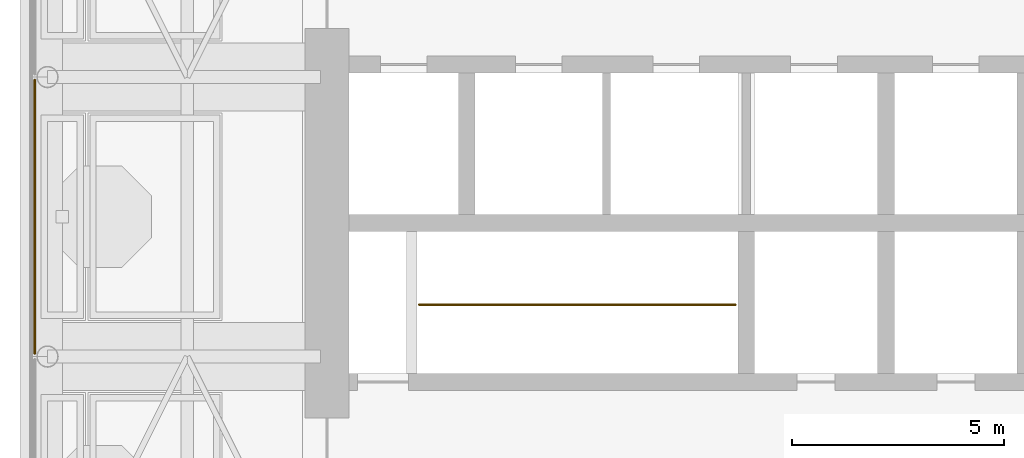
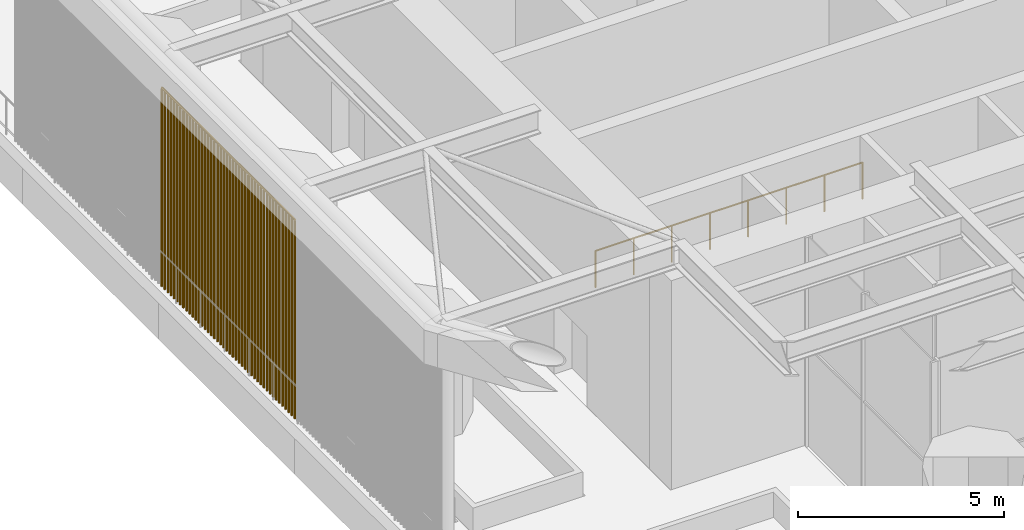
# One storey, part 13 of 22: 1 covering, 1 railing.
"""IFC4 building model written with IfcOpenShell, lengths in metres."""

from ifc_helpers import new_model, si_unit, direction, frame, origin, place, context, subcontext, project, spatial, polyline, outline, extrude, material, type_object, element, save


model = new_model("IFC4")

# Units and contexts
model_context = context("Model", 3, precision=1e-05, world=origin(), true_north=direction((0.0, 1.0)))
body_context = subcontext(model_context, "Body", "Model", "MODEL_VIEW")
ifc_project = project(units=[si_unit("LENGTHUNIT", "METRE"), si_unit("AREAUNIT", "SQUARE_METRE"), si_unit("VOLUMEUNIT", "CUBIC_METRE"), si_unit("PLANEANGLEUNIT", "RADIAN"), si_unit("MASSUNIT", "GRAM", prefix="KILO")], contexts=[model_context])

# Site, building, storey
site_placement = place(None, origin())
site = spatial("IfcSite", under=ifc_project, at=site_placement, CompositionType="ELEMENT")
building_placement = place(site_placement, origin())
building = spatial("IfcBuilding", under=site, at=building_placement, Name="Cobogo Forest Laboratory Tower", CompositionType="ELEMENT")
storey_placement = place(building_placement, frame((0.0, 0.0, 292.800048828125)))
storey = spatial("IfcBuildingStorey", under=building, at=storey_placement, Name="RF", CompositionType="ELEMENT", Elevation=292.800048828125)

# Covering
ifc_material_1 = material(Name="Terracotta baguettes on a galvanised steel top rail", Category="masonry")
covering_type = type_object("IfcCoveringType", Name="CS1 crown terracotta baguette screen", PredefinedType="CLADDING", material=ifc_material_1)
covering_placement = place(storey_placement, frame((6.300048828125, 19.875, -0.0009765625)))
element("IfcCovering", 1, at=covering_placement, inside=storey, type_object=covering_type, Name="Crown screen W2", PredefinedType="CLADDING", context=body_context, shape_type="SweptSolid", body=[
    extrude(outline(polyline([(0.02880859375, 0.011962890625), (0.011962890625, 0.02880859375), (-0.011962890625, 0.02880859375), (-0.02880859375, 0.011962890625), (-0.02880859375, -0.011962890625), (-0.011962890625, -0.02880859375), (0.011962890625, -0.02880859375), (0.02880859375, -0.011962890625), (0.02880859375, 0.011962890625)])), frame((0.0, 0.0, 5.873046875), z_axis=(0.0, 1.0, 0.0), x_axis=(-1.0, 0.0, 0.0)), (0.0, 0.0, 1.0), 6.449951171875),
    extrude(outline(polyline([(0.02880859375, 0.011962890625), (0.011962890625, 0.02880859375), (-0.011962890625, 0.02880859375), (-0.02880859375, 0.011962890625), (-0.02880859375, -0.011962890625), (-0.011962890625, -0.02880859375), (0.011962890625, -0.02880859375), (0.02880859375, -0.011962890625), (0.02880859375, 0.011962890625)])), origin(), (0.0, 0.0, 1.0), 5.841796875),
    extrude(outline(polyline([(0.02880859375, 0.011962890625), (0.011962890625, 0.02880859375), (-0.011962890625, 0.02880859375), (-0.02880859375, 0.011962890625), (-0.02880859375, -0.011962890625), (-0.011962890625, -0.02880859375), (0.011962890625, -0.02880859375), (0.02880859375, -0.011962890625), (0.02880859375, 0.011962890625)])), frame((0.0, 0.14990234375, 0.0)), (0.0, 0.0, 1.0), 5.841796875),
    extrude(outline(polyline([(0.02880859375, 0.011962890625), (0.011962890625, 0.02880859375), (-0.011962890625, 0.02880859375), (-0.02880859375, 0.011962890625), (-0.02880859375, -0.011962890625), (-0.011962890625, -0.02880859375), (0.011962890625, -0.02880859375), (0.02880859375, -0.011962890625), (0.02880859375, 0.011962890625)])), frame((0.0, 0.300048828125, 0.0)), (0.0, 0.0, 1.0), 5.841796875),
    extrude(outline(polyline([(0.02880859375, 0.011962890625), (0.011962890625, 0.02880859375), (-0.011962890625, 0.02880859375), (-0.02880859375, 0.011962890625), (-0.02880859375, -0.011962890625), (-0.011962890625, -0.02880859375), (0.011962890625, -0.02880859375), (0.02880859375, -0.011962890625), (0.02880859375, 0.011962890625)])), frame((0.0, 0.449951171875, 0.0)), (0.0, 0.0, 1.0), 5.841796875),
    extrude(outline(polyline([(0.02880859375, 0.011962890625), (0.011962890625, 0.02880859375), (-0.011962890625, 0.02880859375), (-0.02880859375, 0.011962890625), (-0.02880859375, -0.011962890625), (-0.011962890625, -0.02880859375), (0.011962890625, -0.02880859375), (0.02880859375, -0.011962890625), (0.02880859375, 0.011962890625)])), frame((0.0, 0.60009765625, 0.0)), (0.0, 0.0, 1.0), 5.841796875),
    extrude(outline(polyline([(0.02880859375, 0.011962890625), (0.011962890625, 0.02880859375), (-0.011962890625, 0.02880859375), (-0.02880859375, 0.011962890625), (-0.02880859375, -0.011962890625), (-0.011962890625, -0.02880859375), (0.011962890625, -0.02880859375), (0.02880859375, -0.011962890625), (0.02880859375, 0.011962890625)])), frame((0.0, 0.75, 0.0)), (0.0, 0.0, 1.0), 5.841796875),
    extrude(outline(polyline([(0.02880859375, 0.011962890625), (0.011962890625, 0.02880859375), (-0.011962890625, 0.02880859375), (-0.02880859375, 0.011962890625), (-0.02880859375, -0.011962890625), (-0.011962890625, -0.02880859375), (0.011962890625, -0.02880859375), (0.02880859375, -0.011962890625), (0.02880859375, 0.011962890625)])), frame((0.0, 0.89990234375, 0.0)), (0.0, 0.0, 1.0), 5.841796875),
    extrude(outline(polyline([(0.02880859375, 0.011962890625), (0.011962890625, 0.02880859375), (-0.011962890625, 0.02880859375), (-0.02880859375, 0.011962890625), (-0.02880859375, -0.011962890625), (-0.011962890625, -0.02880859375), (0.011962890625, -0.02880859375), (0.02880859375, -0.011962890625), (0.02880859375, 0.011962890625)])), frame((0.0, 1.050048828125, 0.0)), (0.0, 0.0, 1.0), 5.841796875),
    extrude(outline(polyline([(0.02880859375, 0.011962890625), (0.011962890625, 0.02880859375), (-0.011962890625, 0.02880859375), (-0.02880859375, 0.011962890625), (-0.02880859375, -0.011962890625), (-0.011962890625, -0.02880859375), (0.011962890625, -0.02880859375), (0.02880859375, -0.011962890625), (0.02880859375, 0.011962890625)])), frame((0.0, 1.199951171875, 0.0)), (0.0, 0.0, 1.0), 5.841796875),
    extrude(outline(polyline([(0.02880859375, 0.011962890625), (0.011962890625, 0.02880859375), (-0.011962890625, 0.02880859375), (-0.02880859375, 0.011962890625), (-0.02880859375, -0.011962890625), (-0.011962890625, -0.02880859375), (0.011962890625, -0.02880859375), (0.02880859375, -0.011962890625), (0.02880859375, 0.011962890625)])), frame((0.0, 1.35009765625, 0.0)), (0.0, 0.0, 1.0), 5.841796875),
    extrude(outline(polyline([(0.02880859375, 0.011962890625), (0.011962890625, 0.02880859375), (-0.011962890625, 0.02880859375), (-0.02880859375, 0.011962890625), (-0.02880859375, -0.011962890625), (-0.011962890625, -0.02880859375), (0.011962890625, -0.02880859375), (0.02880859375, -0.011962890625), (0.02880859375, 0.011962890625)])), frame((0.0, 1.5, 0.0)), (0.0, 0.0, 1.0), 5.841796875),
    extrude(outline(polyline([(0.02880859375, 0.011962890625), (0.011962890625, 0.02880859375), (-0.011962890625, 0.02880859375), (-0.02880859375, 0.011962890625), (-0.02880859375, -0.011962890625), (-0.011962890625, -0.02880859375), (0.011962890625, -0.02880859375), (0.02880859375, -0.011962890625), (0.02880859375, 0.011962890625)])), frame((0.0, 1.64990234375, 0.0)), (0.0, 0.0, 1.0), 5.841796875),
    extrude(outline(polyline([(0.02880859375, 0.011962890625), (0.011962890625, 0.02880859375), (-0.011962890625, 0.02880859375), (-0.02880859375, 0.011962890625), (-0.02880859375, -0.011962890625), (-0.011962890625, -0.02880859375), (0.011962890625, -0.02880859375), (0.02880859375, -0.011962890625), (0.02880859375, 0.011962890625)])), frame((0.0, 1.800048828125, 0.0)), (0.0, 0.0, 1.0), 5.841796875),
    extrude(outline(polyline([(0.02880859375, 0.011962890625), (0.011962890625, 0.02880859375), (-0.011962890625, 0.02880859375), (-0.02880859375, 0.011962890625), (-0.02880859375, -0.011962890625), (-0.011962890625, -0.02880859375), (0.011962890625, -0.02880859375), (0.02880859375, -0.011962890625), (0.02880859375, 0.011962890625)])), frame((0.0, 1.949951171875, 0.0)), (0.0, 0.0, 1.0), 5.841796875),
    extrude(outline(polyline([(0.02880859375, 0.011962890625), (0.011962890625, 0.02880859375), (-0.011962890625, 0.02880859375), (-0.02880859375, 0.011962890625), (-0.02880859375, -0.011962890625), (-0.011962890625, -0.02880859375), (0.011962890625, -0.02880859375), (0.02880859375, -0.011962890625), (0.02880859375, 0.011962890625)])), frame((0.0, 2.10009765625, 0.0)), (0.0, 0.0, 1.0), 5.841796875),
    extrude(outline(polyline([(0.02880859375, 0.011962890625), (0.011962890625, 0.02880859375), (-0.011962890625, 0.02880859375), (-0.02880859375, 0.011962890625), (-0.02880859375, -0.011962890625), (-0.011962890625, -0.02880859375), (0.011962890625, -0.02880859375), (0.02880859375, -0.011962890625), (0.02880859375, 0.011962890625)])), frame((0.0, 2.25, 0.0)), (0.0, 0.0, 1.0), 5.841796875),
    extrude(outline(polyline([(0.02880859375, 0.011962890625), (0.011962890625, 0.02880859375), (-0.011962890625, 0.02880859375), (-0.02880859375, 0.011962890625), (-0.02880859375, -0.011962890625), (-0.011962890625, -0.02880859375), (0.011962890625, -0.02880859375), (0.02880859375, -0.011962890625), (0.02880859375, 0.011962890625)])), frame((0.0, 2.39990234375, 0.0)), (0.0, 0.0, 1.0), 5.841796875),
    extrude(outline(polyline([(0.02880859375, 0.011962890625), (0.011962890625, 0.02880859375), (-0.011962890625, 0.02880859375), (-0.02880859375, 0.011962890625), (-0.02880859375, -0.011962890625), (-0.011962890625, -0.02880859375), (0.011962890625, -0.02880859375), (0.02880859375, -0.011962890625), (0.02880859375, 0.011962890625)])), frame((0.0, 2.550048828125, 0.0)), (0.0, 0.0, 1.0), 5.841796875),
    extrude(outline(polyline([(0.02880859375, 0.011962890625), (0.011962890625, 0.02880859375), (-0.011962890625, 0.02880859375), (-0.02880859375, 0.011962890625), (-0.02880859375, -0.011962890625), (-0.011962890625, -0.02880859375), (0.011962890625, -0.02880859375), (0.02880859375, -0.011962890625), (0.02880859375, 0.011962890625)])), frame((0.0, 2.699951171875, 0.0)), (0.0, 0.0, 1.0), 5.841796875),
    extrude(outline(polyline([(0.02880859375, 0.011962890625), (0.011962890625, 0.02880859375), (-0.011962890625, 0.02880859375), (-0.02880859375, 0.011962890625), (-0.02880859375, -0.011962890625), (-0.011962890625, -0.02880859375), (0.011962890625, -0.02880859375), (0.02880859375, -0.011962890625), (0.02880859375, 0.011962890625)])), frame((0.0, 2.85009765625, 0.0)), (0.0, 0.0, 1.0), 5.841796875),
    extrude(outline(polyline([(0.02880859375, 0.011962890625), (0.011962890625, 0.02880859375), (-0.011962890625, 0.02880859375), (-0.02880859375, 0.011962890625), (-0.02880859375, -0.011962890625), (-0.011962890625, -0.02880859375), (0.011962890625, -0.02880859375), (0.02880859375, -0.011962890625), (0.02880859375, 0.011962890625)])), frame((0.0, 3.0, 0.0)), (0.0, 0.0, 1.0), 5.841796875),
    extrude(outline(polyline([(0.02880859375, 0.011962890625), (0.011962890625, 0.02880859375), (-0.011962890625, 0.02880859375), (-0.02880859375, 0.011962890625), (-0.02880859375, -0.011962890625), (-0.011962890625, -0.02880859375), (0.011962890625, -0.02880859375), (0.02880859375, -0.011962890625), (0.02880859375, 0.011962890625)])), frame((0.0, 3.14990234375, 0.0)), (0.0, 0.0, 1.0), 5.841796875),
    extrude(outline(polyline([(0.02880859375, 0.011962890625), (0.011962890625, 0.02880859375), (-0.011962890625, 0.02880859375), (-0.02880859375, 0.011962890625), (-0.02880859375, -0.011962890625), (-0.011962890625, -0.02880859375), (0.011962890625, -0.02880859375), (0.02880859375, -0.011962890625), (0.02880859375, 0.011962890625)])), frame((0.0, 3.300048828125, 0.0)), (0.0, 0.0, 1.0), 5.841796875),
    extrude(outline(polyline([(0.02880859375, 0.011962890625), (0.011962890625, 0.02880859375), (-0.011962890625, 0.02880859375), (-0.02880859375, 0.011962890625), (-0.02880859375, -0.011962890625), (-0.011962890625, -0.02880859375), (0.011962890625, -0.02880859375), (0.02880859375, -0.011962890625), (0.02880859375, 0.011962890625)])), frame((0.0, 3.449951171875, 0.0)), (0.0, 0.0, 1.0), 5.841796875),
    extrude(outline(polyline([(0.02880859375, 0.011962890625), (0.011962890625, 0.02880859375), (-0.011962890625, 0.02880859375), (-0.02880859375, 0.011962890625), (-0.02880859375, -0.011962890625), (-0.011962890625, -0.02880859375), (0.011962890625, -0.02880859375), (0.02880859375, -0.011962890625), (0.02880859375, 0.011962890625)])), frame((0.0, 3.599853515625, 0.0)), (0.0, 0.0, 1.0), 5.841796875),
    extrude(outline(polyline([(0.02880859375, 0.011962890625), (0.011962890625, 0.02880859375), (-0.011962890625, 0.02880859375), (-0.02880859375, 0.011962890625), (-0.02880859375, -0.011962890625), (-0.011962890625, -0.02880859375), (0.011962890625, -0.02880859375), (0.02880859375, -0.011962890625), (0.02880859375, 0.011962890625)])), frame((0.0, 3.75, 0.0)), (0.0, 0.0, 1.0), 5.841796875),
    extrude(outline(polyline([(0.02880859375, 0.011962890625), (0.011962890625, 0.02880859375), (-0.011962890625, 0.02880859375), (-0.02880859375, 0.011962890625), (-0.02880859375, -0.011962890625), (-0.011962890625, -0.02880859375), (0.011962890625, -0.02880859375), (0.02880859375, -0.011962890625), (0.02880859375, 0.011962890625)])), frame((0.0, 3.89990234375, 0.0)), (0.0, 0.0, 1.0), 5.841796875),
    extrude(outline(polyline([(0.02880859375, 0.011962890625), (0.011962890625, 0.02880859375), (-0.011962890625, 0.02880859375), (-0.02880859375, 0.011962890625), (-0.02880859375, -0.011962890625), (-0.011962890625, -0.02880859375), (0.011962890625, -0.02880859375), (0.02880859375, -0.011962890625), (0.02880859375, 0.011962890625)])), frame((0.0, 4.050048828125, 0.0)), (0.0, 0.0, 1.0), 5.841796875),
    extrude(outline(polyline([(0.02880859375, 0.011962890625), (0.011962890625, 0.02880859375), (-0.011962890625, 0.02880859375), (-0.02880859375, 0.011962890625), (-0.02880859375, -0.011962890625), (-0.011962890625, -0.02880859375), (0.011962890625, -0.02880859375), (0.02880859375, -0.011962890625), (0.02880859375, 0.011962890625)])), frame((0.0, 4.199951171875, 0.0)), (0.0, 0.0, 1.0), 5.841796875),
    extrude(outline(polyline([(0.02880859375, 0.011962890625), (0.011962890625, 0.02880859375), (-0.011962890625, 0.02880859375), (-0.02880859375, 0.011962890625), (-0.02880859375, -0.011962890625), (-0.011962890625, -0.02880859375), (0.011962890625, -0.02880859375), (0.02880859375, -0.011962890625), (0.02880859375, 0.011962890625)])), frame((0.0, 4.349853515625, 0.0)), (0.0, 0.0, 1.0), 5.841796875),
    extrude(outline(polyline([(0.02880859375, 0.011962890625), (0.011962890625, 0.02880859375), (-0.011962890625, 0.02880859375), (-0.02880859375, 0.011962890625), (-0.02880859375, -0.011962890625), (-0.011962890625, -0.02880859375), (0.011962890625, -0.02880859375), (0.02880859375, -0.011962890625), (0.02880859375, 0.011962890625)])), frame((0.0, 4.5, 0.0)), (0.0, 0.0, 1.0), 5.841796875),
    extrude(outline(polyline([(0.02880859375, 0.011962890625), (0.011962890625, 0.02880859375), (-0.011962890625, 0.02880859375), (-0.02880859375, 0.011962890625), (-0.02880859375, -0.011962890625), (-0.011962890625, -0.02880859375), (0.011962890625, -0.02880859375), (0.02880859375, -0.011962890625), (0.02880859375, 0.011962890625)])), frame((0.0, 4.64990234375, 0.0)), (0.0, 0.0, 1.0), 5.841796875),
    extrude(outline(polyline([(0.02880859375, 0.011962890625), (0.011962890625, 0.02880859375), (-0.011962890625, 0.02880859375), (-0.02880859375, 0.011962890625), (-0.02880859375, -0.011962890625), (-0.011962890625, -0.02880859375), (0.011962890625, -0.02880859375), (0.02880859375, -0.011962890625), (0.02880859375, 0.011962890625)])), frame((0.0, 4.800048828125, 0.0)), (0.0, 0.0, 1.0), 5.841796875),
    extrude(outline(polyline([(0.02880859375, 0.011962890625), (0.011962890625, 0.02880859375), (-0.011962890625, 0.02880859375), (-0.02880859375, 0.011962890625), (-0.02880859375, -0.011962890625), (-0.011962890625, -0.02880859375), (0.011962890625, -0.02880859375), (0.02880859375, -0.011962890625), (0.02880859375, 0.011962890625)])), frame((0.0, 4.949951171875, 0.0)), (0.0, 0.0, 1.0), 5.841796875),
    extrude(outline(polyline([(0.02880859375, 0.011962890625), (0.011962890625, 0.02880859375), (-0.011962890625, 0.02880859375), (-0.02880859375, 0.011962890625), (-0.02880859375, -0.011962890625), (-0.011962890625, -0.02880859375), (0.011962890625, -0.02880859375), (0.02880859375, -0.011962890625), (0.02880859375, 0.011962890625)])), frame((0.0, 5.099853515625, 0.0)), (0.0, 0.0, 1.0), 5.841796875),
    extrude(outline(polyline([(0.02880859375, 0.011962890625), (0.011962890625, 0.02880859375), (-0.011962890625, 0.02880859375), (-0.02880859375, 0.011962890625), (-0.02880859375, -0.011962890625), (-0.011962890625, -0.02880859375), (0.011962890625, -0.02880859375), (0.02880859375, -0.011962890625), (0.02880859375, 0.011962890625)])), frame((0.0, 5.25, 0.0)), (0.0, 0.0, 1.0), 5.841796875),
    extrude(outline(polyline([(0.02880859375, 0.011962890625), (0.011962890625, 0.02880859375), (-0.011962890625, 0.02880859375), (-0.02880859375, 0.011962890625), (-0.02880859375, -0.011962890625), (-0.011962890625, -0.02880859375), (0.011962890625, -0.02880859375), (0.02880859375, -0.011962890625), (0.02880859375, 0.011962890625)])), frame((0.0, 5.39990234375, 0.0)), (0.0, 0.0, 1.0), 5.841796875),
    extrude(outline(polyline([(0.02880859375, 0.011962890625), (0.011962890625, 0.02880859375), (-0.011962890625, 0.02880859375), (-0.02880859375, 0.011962890625), (-0.02880859375, -0.011962890625), (-0.011962890625, -0.02880859375), (0.011962890625, -0.02880859375), (0.02880859375, -0.011962890625), (0.02880859375, 0.011962890625)])), frame((0.0, 5.550048828125, 0.0)), (0.0, 0.0, 1.0), 5.841796875),
    extrude(outline(polyline([(0.02880859375, 0.011962890625), (0.011962890625, 0.02880859375), (-0.011962890625, 0.02880859375), (-0.02880859375, 0.011962890625), (-0.02880859375, -0.011962890625), (-0.011962890625, -0.02880859375), (0.011962890625, -0.02880859375), (0.02880859375, -0.011962890625), (0.02880859375, 0.011962890625)])), frame((0.0, 5.699951171875, 0.0)), (0.0, 0.0, 1.0), 5.841796875),
    extrude(outline(polyline([(0.02880859375, 0.011962890625), (0.011962890625, 0.02880859375), (-0.011962890625, 0.02880859375), (-0.02880859375, 0.011962890625), (-0.02880859375, -0.011962890625), (-0.011962890625, -0.02880859375), (0.011962890625, -0.02880859375), (0.02880859375, -0.011962890625), (0.02880859375, 0.011962890625)])), frame((0.0, 5.849853515625, 0.0)), (0.0, 0.0, 1.0), 5.841796875),
    extrude(outline(polyline([(0.02880859375, 0.011962890625), (0.011962890625, 0.02880859375), (-0.011962890625, 0.02880859375), (-0.02880859375, 0.011962890625), (-0.02880859375, -0.011962890625), (-0.011962890625, -0.02880859375), (0.011962890625, -0.02880859375), (0.02880859375, -0.011962890625), (0.02880859375, 0.011962890625)])), frame((0.0, 6.0, 0.0)), (0.0, 0.0, 1.0), 5.841796875),
    extrude(outline(polyline([(0.02880859375, 0.011962890625), (0.011962890625, 0.02880859375), (-0.011962890625, 0.02880859375), (-0.02880859375, 0.011962890625), (-0.02880859375, -0.011962890625), (-0.011962890625, -0.02880859375), (0.011962890625, -0.02880859375), (0.02880859375, -0.011962890625), (0.02880859375, 0.011962890625)])), frame((0.0, 6.14990234375, 0.0)), (0.0, 0.0, 1.0), 5.841796875),
    extrude(outline(polyline([(0.02880859375, 0.011962890625), (0.011962890625, 0.02880859375), (-0.011962890625, 0.02880859375), (-0.02880859375, 0.011962890625), (-0.02880859375, -0.011962890625), (-0.011962890625, -0.02880859375), (0.011962890625, -0.02880859375), (0.02880859375, -0.011962890625), (0.02880859375, 0.011962890625)])), frame((0.0, 6.300048828125, 0.0)), (0.0, 0.0, 1.0), 5.841796875),
    extrude(outline(polyline([(0.02880859375, 0.011962890625), (0.011962890625, 0.02880859375), (-0.011962890625, 0.02880859375), (-0.02880859375, 0.011962890625), (-0.02880859375, -0.011962890625), (-0.011962890625, -0.02880859375), (0.011962890625, -0.02880859375), (0.02880859375, -0.011962890625), (0.02880859375, 0.011962890625)])), frame((0.0, 6.449951171875, 0.0)), (0.0, 0.0, 1.0), 5.841796875),
])

# Railing
ifc_material_2 = material(Name="Steel balustrade", Category="steel")
railing_type = type_object("IfcRailingType", Name="GR stair guard 1100", PredefinedType="GUARDRAIL", material=ifc_material_2)
railing_placement = place(storey_placement, frame((15.375, 21.02490234375, 0.0)))
element("IfcRailing", 2, at=railing_placement, inside=storey, type_object=railing_type, Name="Stair well guard ST1 RF", PredefinedType="GUARDRAIL", context=body_context, shape_type="SweptSolid", body=[
    extrude(outline(polyline([(0.022216796875, 0.00927734375), (0.00927734375, 0.022216796875), (-0.00927734375, 0.022216796875), (-0.022216796875, 0.00927734375), (-0.022216796875, -0.00927734375), (-0.00927734375, -0.022216796875), (0.00927734375, -0.022216796875), (0.022216796875, -0.00927734375), (0.022216796875, 0.00927734375)])), frame((0.0, 0.0, 1.077880859375), z_axis=(1.0, 0.0, 0.0), x_axis=(0.0, 1.0, 0.0)), (0.0, 0.0, 1.0), 7.47509765625),
    extrude(outline(polyline([(0.019287109375, 0.008056640625), (0.008056640625, 0.019287109375), (-0.008056640625, 0.019287109375), (-0.019287109375, 0.008056640625), (-0.019287109375, -0.008056640625), (-0.008056640625, -0.019287109375), (0.008056640625, -0.019287109375), (0.019287109375, -0.008056640625), (0.019287109375, 0.008056640625)])), origin(), (0.0, 0.0, 1.0), 1.077880859375),
    extrude(outline(polyline([(0.019287109375, 0.008056640625), (0.008056640625, 0.019287109375), (-0.008056640625, 0.019287109375), (-0.019287109375, 0.008056640625), (-0.019287109375, -0.008056640625), (-0.008056640625, -0.019287109375), (0.008056640625, -0.019287109375), (0.019287109375, -0.008056640625), (0.019287109375, 0.008056640625)])), frame((1.06787109375, 0.0, 0.0)), (0.0, 0.0, 1.0), 1.077880859375),
    extrude(outline(polyline([(0.019287109375, 0.008056640625), (0.008056640625, 0.019287109375), (-0.008056640625, 0.019287109375), (-0.019287109375, 0.008056640625), (-0.019287109375, -0.008056640625), (-0.008056640625, -0.019287109375), (0.008056640625, -0.019287109375), (0.019287109375, -0.008056640625), (0.019287109375, 0.008056640625)])), frame((2.1357421875, 0.0, 0.0)), (0.0, 0.0, 1.0), 1.077880859375),
    extrude(outline(polyline([(0.019287109375, 0.008056640625), (0.008056640625, 0.019287109375), (-0.008056640625, 0.019287109375), (-0.019287109375, 0.008056640625), (-0.019287109375, -0.008056640625), (-0.008056640625, -0.019287109375), (0.008056640625, -0.019287109375), (0.019287109375, -0.008056640625), (0.019287109375, 0.008056640625)])), frame((3.20361328125, 0.0, 0.0)), (0.0, 0.0, 1.0), 1.077880859375),
    extrude(outline(polyline([(0.019287109375, 0.008056640625), (0.008056640625, 0.019287109375), (-0.008056640625, 0.019287109375), (-0.019287109375, 0.008056640625), (-0.019287109375, -0.008056640625), (-0.008056640625, -0.019287109375), (0.008056640625, -0.019287109375), (0.019287109375, -0.008056640625), (0.019287109375, 0.008056640625)])), frame((4.271484375, 0.0, 0.0)), (0.0, 0.0, 1.0), 1.077880859375),
    extrude(outline(polyline([(0.019287109375, 0.008056640625), (0.008056640625, 0.019287109375), (-0.008056640625, 0.019287109375), (-0.019287109375, 0.008056640625), (-0.019287109375, -0.008056640625), (-0.008056640625, -0.019287109375), (0.008056640625, -0.019287109375), (0.019287109375, -0.008056640625), (0.019287109375, 0.008056640625)])), frame((5.33935546875, 0.0, 0.0)), (0.0, 0.0, 1.0), 1.077880859375),
    extrude(outline(polyline([(0.019287109375, 0.008056640625), (0.008056640625, 0.019287109375), (-0.008056640625, 0.019287109375), (-0.019287109375, 0.008056640625), (-0.019287109375, -0.008056640625), (-0.008056640625, -0.019287109375), (0.008056640625, -0.019287109375), (0.019287109375, -0.008056640625), (0.019287109375, 0.008056640625)])), frame((6.4072265625, 0.0, 0.0)), (0.0, 0.0, 1.0), 1.077880859375),
    extrude(outline(polyline([(0.019287109375, 0.008056640625), (0.008056640625, 0.019287109375), (-0.008056640625, 0.019287109375), (-0.019287109375, 0.008056640625), (-0.019287109375, -0.008056640625), (-0.008056640625, -0.019287109375), (0.008056640625, -0.019287109375), (0.019287109375, -0.008056640625), (0.019287109375, 0.008056640625)])), frame((7.47509765625, 0.0, 0.0)), (0.0, 0.0, 1.0), 1.077880859375),
])

save(model, "model.ifc")
